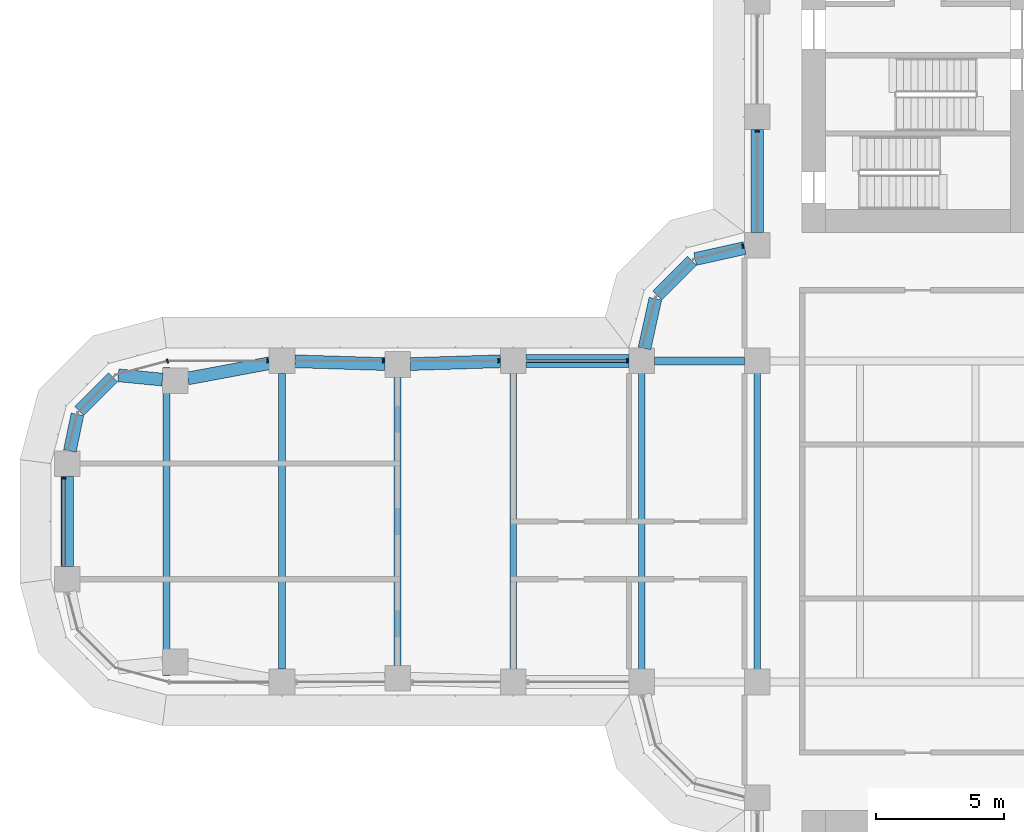
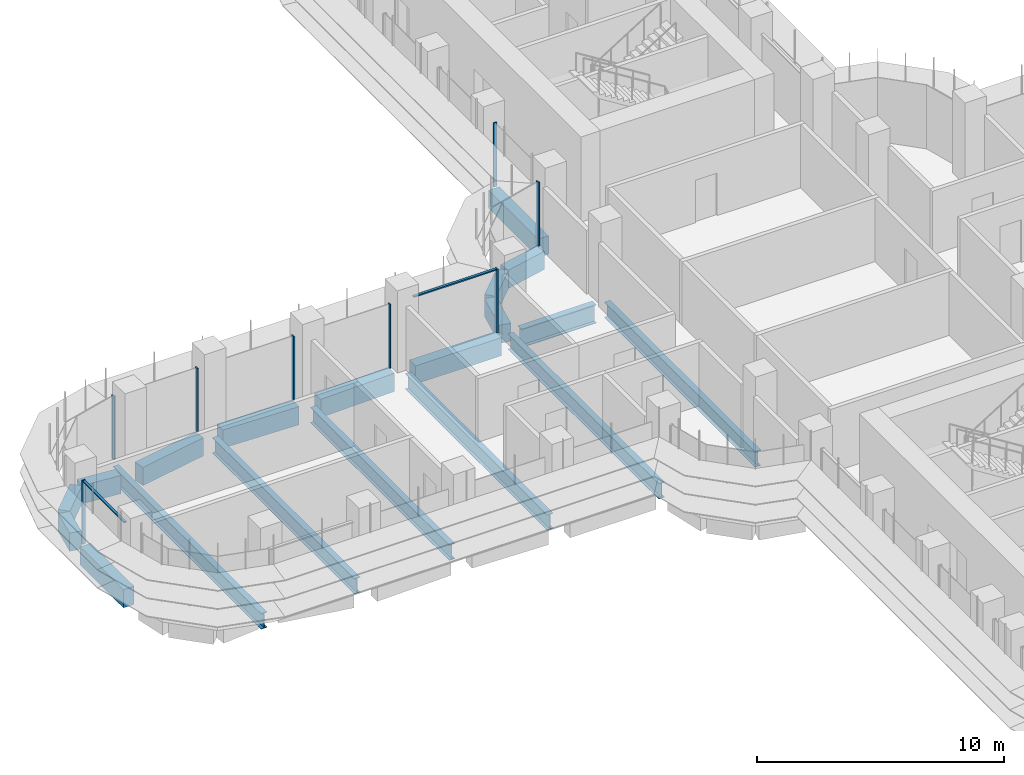
# One storey, part 6 of 23: 19 beams, 10 members, 5 elements without a shape of their own.
"""IFC4 building model written with IfcOpenShell, lengths in metres."""

from ifc_helpers import new_model, si_unit, direction, frame, origin, origin_2d, place, context, subcontext, project, spatial, polyline, rectangle, i_section, outline, extrude, source, transform, mapped, material, material_profile, profile_set, type_object, element, aggregate, save


model = new_model("IFC4")

# Units and contexts
model_context = context("Model", 3, precision=1e-05, world=origin(), true_north=direction((0.0, 1.0)))
body_context = subcontext(model_context, "Body", "Model", "MODEL_VIEW")
ifc_project = project(units=[si_unit("LENGTHUNIT", "METRE"), si_unit("AREAUNIT", "SQUARE_METRE"), si_unit("VOLUMEUNIT", "CUBIC_METRE"), si_unit("PLANEANGLEUNIT", "RADIAN"), si_unit("MASSUNIT", "GRAM", prefix="KILO")], contexts=[model_context])

# Site, building, storey
site_placement = place(None, origin())
site = spatial("IfcSite", under=ifc_project, at=site_placement, CompositionType="ELEMENT")
building_placement = place(site_placement, origin())
building = spatial("IfcBuilding", under=site, at=building_placement, Name="Zarbagh Exchange Tower", CompositionType="ELEMENT")
storey_placement = place(building_placement, frame((0.0, 0.0, 35.39990234375)))
storey = spatial("IfcBuildingStorey", under=building, at=storey_placement, Name="L07", CompositionType="ELEMENT", Elevation=35.39990234375)

# Beams
ifc_material_1 = material(Name="Steel ASTM A992 Gr 50", Category="steel")
ifc_material_profile_1 = material_profile(ifc_material_1, i_section(OverallWidth=0.2666015625, OverallDepth=0.76708984375, WebThickness=0.014892578125, FlangeThickness=0.023681640625, at=origin_2d()), Name="W30X124")
ifc_profile_set_1 = profile_set([ifc_material_profile_1], Name="Steel ASTM A992 Gr 50")
beam_type_1 = type_object("IfcBeamType", Name="Floor beam W30X124", PredefinedType="BEAM", material=ifc_profile_set_1)
for number, where, z_axis, x_axis, name in (
    (1, (-10.75, -6.09765625, -0.533447265625), (0.0, 1.0, 0.0), (-1.0, 0.0, 0.0), "Steel floor beam"),
    (2, (-6.25, -6.09765625, -0.533447265625), (0.0, 1.0, 0.0), (-1.0, 0.0, 0.0), "Steel floor beam"),
):
    element("IfcBeam", number, at=place(storey_placement, frame(where, z_axis=z_axis, x_axis=x_axis)), inside=storey, type_object=beam_type_1, Name=name, PredefinedType="BEAM", context=body_context, shape_type="SweptSolid", body=[
        extrude(i_section(OverallWidth=0.2666015625, OverallDepth=0.76708984375, WebThickness=0.014892578125, FlangeThickness=0.023681640625, at=origin_2d()), origin(), (0.0, 0.0, 1.0), 12.1953125),
    ])
beam_1_placement = place(storey_placement, frame((-15.75, -5.75, -0.533447265625), z_axis=(0.0, 1.0, 0.0), x_axis=(-1.0, 0.0, 0.0)))
element("IfcBeam", 3, at=beam_1_placement, inside=storey, type_object=beam_type_1, Name="Steel floor beam", PredefinedType="BEAM", context=body_context, shape_type="SweptSolid", body=[
    extrude(i_section(OverallWidth=0.2666015625, OverallDepth=0.76708984375, WebThickness=0.014892578125, FlangeThickness=0.023681640625, at=origin_2d()), origin(), (0.0, 0.0, 1.0), 11.5),
])
beam_2_placement = place(storey_placement, frame((-20.25, -5.610107421875, -0.533447265625), z_axis=(0.0, 1.0, 0.0), x_axis=(-1.0, 0.0, 0.0)))
element("IfcBeam", 4, at=beam_2_placement, inside=storey, type_object=beam_type_1, Name="Steel floor beam", PredefinedType="BEAM", context=body_context, shape_type="SweptSolid", body=[
    extrude(i_section(OverallWidth=0.2666015625, OverallDepth=0.76708984375, WebThickness=0.014892578125, FlangeThickness=0.023681640625, at=origin_2d()), origin(), (0.0, 0.0, 1.0), 11.22021484375),
])
beam_3_placement = place(storey_placement, frame((-24.75, -5.75, -0.533447265625), z_axis=(0.0, 1.0, 0.0), x_axis=(-1.0, 0.0, 0.0)))
element("IfcBeam", 5, at=beam_3_placement, inside=storey, type_object=beam_type_1, Name="Steel floor beam", PredefinedType="BEAM", context=body_context, shape_type="SweptSolid", body=[
    extrude(i_section(OverallWidth=0.2666015625, OverallDepth=0.76708984375, WebThickness=0.014892578125, FlangeThickness=0.023681640625, at=origin_2d()), origin(), (0.0, 0.0, 1.0), 11.5),
])
beam_4_placement = place(storey_placement, frame((-29.25, -6.0, -0.533447265625), z_axis=(0.0, 1.0, 0.0), x_axis=(-1.0, 0.0, 0.0)))
element("IfcBeam", 6, at=beam_4_placement, inside=storey, type_object=beam_type_1, Name="Steel floor beam", PredefinedType="BEAM", context=body_context, shape_type="SweptSolid", body=[
    extrude(i_section(OverallWidth=0.2666015625, OverallDepth=0.76708984375, WebThickness=0.014892578125, FlangeThickness=0.023681640625, at=origin_2d()), origin(), (0.0, 0.0, 1.0), 12.0),
])
ifc_material_profile_2 = material_profile(ifc_material_1, i_section(OverallWidth=0.3046875, OverallDepth=0.91943359375, WebThickness=0.017333984375, FlangeThickness=0.02783203125, at=origin_2d()), Name="W36X170")
ifc_profile_set_2 = profile_set([ifc_material_profile_2], Name="Steel ASTM A992 Gr 50")
beam_type_2 = type_object("IfcBeamType", Name="Floor girder W36X170", PredefinedType="BEAM", material=ifc_profile_set_2)
beam_5_placement = place(storey_placement, frame((-10.25, 6.25, -0.609619140625), z_axis=(1.0, 0.0, 0.0), x_axis=(0.0, 1.0, 0.0)))
element("IfcBeam", 7, at=beam_5_placement, inside=storey, type_object=beam_type_2, Name="Steel girder", PredefinedType="BEAM", context=body_context, shape_type="SweptSolid", body=[
    extrude(i_section(OverallWidth=0.3046875, OverallDepth=0.91943359375, WebThickness=0.017333984375, FlangeThickness=0.02783203125, at=origin_2d()), origin(), (0.0, 0.0, 1.0), 3.5),
])
ifc_material_2 = material(Name="Concrete C60/75", Category="concrete")
ifc_material_profile_3 = material_profile(ifc_material_2, rectangle(XDim=0.5, YDim=0.89990234375, at=origin_2d()), Name="RC spandrel beam 500 x 900 C60/75")
ifc_profile_set_3 = profile_set([ifc_material_profile_3], Name="Concrete C60/75")
beam_type_3 = type_object("IfcBeamType", Name="RC spandrel beam 500 x 900 C60/75", PredefinedType="SPANDREL", material=ifc_profile_set_3)
beam_6_placement = place(storey_placement, frame((-33.110107421875, -1.75, -0.599853515625), z_axis=(0.0, 1.0, 0.0), x_axis=(-1.0, 0.0, 0.0)))
element("IfcBeam", 8, at=beam_6_placement, inside=storey, type_object=beam_type_3, Name="RC spandrel beam", PredefinedType="SPANDREL", context=body_context, shape_type="SweptSolid", body=[
    extrude(rectangle(XDim=0.5, YDim=0.89990234375, at=origin_2d()), origin(), (0.0, 0.0, 1.0), 3.5),
])
beam_7_placement = place(storey_placement, frame((-33.0087890625, 2.73974609375, -0.599853515625), z_axis=(0.202068589164, 0.9793713725, 0.0), x_axis=(-0.9793713725, 0.202068589164, 0.0)))
element("IfcBeam", 9, at=beam_7_placement, inside=storey, type_object=beam_type_3, Name="RC spandrel beam", PredefinedType="SPANDREL", context=body_context, shape_type="SweptSolid", body=[
    extrude(rectangle(XDim=0.5, YDim=0.89990234375, at=origin_2d()), origin(), (0.0, 0.0, 1.0), 1.458251953125),
])
beam_8_placement = place(storey_placement, frame((-32.64599609375, 4.294189453125, -0.599853515625), z_axis=(0.707172099812, 0.707041456527, 0.0), x_axis=(-0.707041456527, 0.707172099812, 0.0)))
element("IfcBeam", 10, at=beam_8_placement, inside=storey, type_object=beam_type_3, Name="RC spandrel beam", PredefinedType="SPANDREL", context=body_context, shape_type="SweptSolid", body=[
    extrude(rectangle(XDim=0.5, YDim=0.89990234375, at=origin_2d()), origin(), (0.0, 0.0, 1.0), 1.86865234375),
])
beam_9_placement = place(storey_placement, frame((-31.123779296875, 5.6875, -0.599853515625), z_axis=(0.995431032456, -0.095483294999, 0.0), x_axis=(0.095483294999, 0.995431032456, 0.0)))
element("IfcBeam", 11, at=beam_9_placement, inside=storey, type_object=beam_type_3, Name="RC spandrel beam", PredefinedType="SPANDREL", context=body_context, shape_type="SweptSolid", body=[
    extrude(rectangle(XDim=0.5, YDim=0.89990234375, at=origin_2d()), origin(), (0.0, 0.0, 1.0), 1.725830078125),
])
beam_10_placement = place(storey_placement, frame((-28.41650390625, 5.566650390625, -0.599853515625), z_axis=(0.983069300761, 0.183234139565, 0.0), x_axis=(-0.183234139565, 0.983069300761, 0.0)))
element("IfcBeam", 12, at=beam_10_placement, inside=storey, type_object=beam_type_3, Name="RC spandrel beam", PredefinedType="SPANDREL", context=body_context, shape_type="SweptSolid", body=[
    extrude(rectangle(XDim=0.5, YDim=0.89990234375, at=origin_2d()), origin(), (0.0, 0.0, 1.0), 3.229736328125),
])
for number, where, z_axis, x_axis, name in (
    (13, (-24.250244140625, 6.234619140625, -0.599853515625), (0.999514385708, -0.031160756759, 0.0), (0.031160756759, 0.999514385708, 0.0), "RC spandrel beam"),
    (14, (-19.750244140625, 6.12548828125, -0.599853515625), (0.999514385708, 0.031160756759, 0.0), (-0.031160756759, 0.999514385708, 0.0), "RC spandrel beam"),
):
    element("IfcBeam", number, at=place(storey_placement, frame(where, z_axis=z_axis, x_axis=x_axis)), inside=storey, type_object=beam_type_3, Name=name, PredefinedType="SPANDREL", context=body_context, shape_type="SweptSolid", body=[
        extrude(rectangle(XDim=0.5, YDim=0.89990234375, at=origin_2d()), origin(), (0.0, 0.0, 1.0), 3.502197265625),
    ])
beam_11_placement = place(storey_placement, frame((-15.25, 6.25, -0.599853515625), z_axis=(1.0, 0.0, 0.0), x_axis=(0.0, 1.0, 0.0)))
element("IfcBeam", 15, at=beam_11_placement, inside=storey, type_object=beam_type_3, Name="RC spandrel beam", PredefinedType="SPANDREL", context=body_context, shape_type="SweptSolid", body=[
    extrude(rectangle(XDim=0.5, YDim=0.89990234375, at=origin_2d()), origin(), (0.0, 0.0, 1.0), 4.0),
])
beam_12_placement = place(storey_placement, frame((-10.64208984375, 6.73828125, -0.599853515625), z_axis=(0.216081063242, 0.976375426825, 0.0), x_axis=(-0.976375426825, 0.216081063242, 0.0)))
element("IfcBeam", 16, at=beam_12_placement, inside=storey, type_object=beam_type_3, Name="RC spandrel beam", PredefinedType="SPANDREL", context=body_context, shape_type="SweptSolid", body=[
    extrude(rectangle(XDim=0.5, YDim=0.89990234375, at=origin_2d()), origin(), (0.0, 0.0, 1.0), 1.978271484375),
])
beam_13_placement = place(storey_placement, frame((-10.147216796875, 8.792724609375, -0.599853515625), z_axis=(0.707106781187, 0.707106781187, 0.0), x_axis=(-0.707106781187, 0.707106781187, 0.0)))
element("IfcBeam", 17, at=beam_13_placement, inside=storey, type_object=beam_type_3, Name="RC spandrel beam", PredefinedType="SPANDREL", context=body_context, shape_type="SweptSolid", body=[
    extrude(rectangle(XDim=0.5, YDim=0.89990234375, at=origin_2d()), origin(), (0.0, 0.0, 1.0), 1.91552734375),
])
beam_14_placement = place(storey_placement, frame((-8.669921875, 10.214599609375, -0.599853515625), z_axis=(0.976375426825, 0.216081063242, 0.0), x_axis=(-0.216081063242, 0.976375426825, 0.0)))
element("IfcBeam", 18, at=beam_14_placement, inside=storey, type_object=beam_type_3, Name="RC spandrel beam", PredefinedType="SPANDREL", context=body_context, shape_type="SweptSolid", body=[
    extrude(rectangle(XDim=0.5, YDim=0.89990234375, at=origin_2d()), origin(), (0.0, 0.0, 1.0), 1.978271484375),
])
beam_15_placement = place(storey_placement, frame((-6.25, 11.25, -0.599853515625), z_axis=(0.0, 1.0, 0.0), x_axis=(-1.0, 0.0, 0.0)))
element("IfcBeam", 19, at=beam_15_placement, inside=storey, type_object=beam_type_3, Name="RC spandrel beam", PredefinedType="SPANDREL", context=body_context, shape_type="SweptSolid", body=[
    extrude(rectangle(XDim=0.5, YDim=0.89990234375, at=origin_2d()), origin(), (0.0, 0.0, 1.0), 4.0),
])

# Curtain wall, member
ifc_material_3 = material(Name="Anodised aluminium frame and glazing", Category="aluminium")
curtain_wall_type = type_object("IfcCurtainWallType", Name="CWA Ribbon glazing, lower zones", PredefinedType="NOTDEFINED", material=ifc_material_3)
curtain_wall_1_placement = place(storey_placement, origin())
curtain_wall_1 = element("IfcCurtainWall", 20, at=curtain_wall_1_placement, inside=storey, type_object=curtain_wall_type, Name="CWA28 curtain wall", PredefinedType="NOTDEFINED")
ifc_material_4 = material(Name="Anodised aluminium frame", Category="aluminium")
member_type_1 = type_object("IfcMemberType", Name="MUA Mullion, anodised aluminium frame", PredefinedType="MULLION", material=ifc_material_4)
shared_shape_1 = source(origin(), body_context, "Body", "SweptSolid", [
    extrude(outline(polyline([(0.0, -0.080078125), (0.06005859375, -0.080078125), (0.06005859375, 0.080078125), (0.0, 0.080078125), (0.0, -0.080078125)])), origin(), (0.0, 0.0, 1.0), 3.14990234375),
])
placement = place(storey_placement, origin())
member_1 = element("IfcMember", 21, at=placement, type_object=member_type_1, Name="CWA28 mullion 5.1", PredefinedType="MULLION", context=body_context, shape_type="MappedRepresentation", body=[
    mapped(shared_shape_1, transform((-6.25, 15.2099609375, 0.0), x_axis=(0.0, -1.0, 0.0), y_axis=(1.0, 0.0, 0.0), z_axis=(0.0, 0.0, 1.0))),
])
aggregate(curtain_wall_1, [member_1])

curtain_wall_2_placement = place(storey_placement, origin())
curtain_wall_2 = element("IfcCurtainWall", 22, at=curtain_wall_2_placement, inside=storey, type_object=curtain_wall_type, Name="CWA29 curtain wall", PredefinedType="NOTDEFINED")
member_2 = element("IfcMember", 23, at=placement, type_object=member_type_1, Name="CWA29 mullion 1.1", PredefinedType="MULLION", context=body_context, shape_type="MappedRepresentation", body=[
    mapped(shared_shape_1, transform((-6.7900390625, 10.7216796875, 0.0), x_axis=(-0.965924289636, -0.258824779902, 0.0), y_axis=(0.258824779902, -0.965924289636, 0.0), z_axis=(0.0, 0.0, 1.0))),
])
aggregate(curtain_wall_2, [member_2])

# Curtain wall, members
curtain_wall_3_placement = place(storey_placement, origin())
curtain_wall_3 = element("IfcCurtainWall", 24, at=curtain_wall_3_placement, inside=storey, type_object=curtain_wall_type, Name="CWA32 curtain wall", PredefinedType="NOTDEFINED")
member_3 = element("IfcMember", 25, at=placement, type_object=member_type_1, Name="CWA32 mullion 1.1", PredefinedType="MULLION", context=body_context, shape_type="MappedRepresentation", body=[
    mapped(shared_shape_1, transform((-11.2900390625, 6.25, 0.0), x_axis=(-1.0, 0.0, 0.0), y_axis=(0.0, -1.0, 0.0), z_axis=(0.0, 0.0, 1.0))),
])
member_4 = element("IfcMember", 26, at=placement, type_object=member_type_1, Name="CWA32 mullion 2.1", PredefinedType="MULLION", context=body_context, shape_type="MappedRepresentation", body=[
    mapped(shared_shape_1, transform((-16.2900390625, 6.25, 0.0), x_axis=(-1.0, 0.0, 0.0), y_axis=(0.0, -1.0, 0.0), z_axis=(0.0, 0.0, 1.0))),
])
member_5 = element("IfcMember", 27, at=placement, type_object=member_type_1, Name="CWA32 mullion 3.1", PredefinedType="MULLION", context=body_context, shape_type="MappedRepresentation", body=[
    mapped(shared_shape_1, transform((-20.7900390625, 6.25, 0.0), x_axis=(-1.0, 0.0, 0.0), y_axis=(0.0, -1.0, 0.0), z_axis=(0.0, 0.0, 1.0))),
])
member_6 = element("IfcMember", 28, at=placement, type_object=member_type_1, Name="CWA32 mullion 4.1", PredefinedType="MULLION", context=body_context, shape_type="MappedRepresentation", body=[
    mapped(shared_shape_1, transform((-25.2900390625, 6.25, 0.0), x_axis=(-1.0, 0.0, 0.0), y_axis=(0.0, -1.0, 0.0), z_axis=(0.0, 0.0, 1.0))),
])

# Curtain wall, member
curtain_wall_4_placement = place(storey_placement, origin())
curtain_wall_4 = element("IfcCurtainWall", 29, at=curtain_wall_4_placement, inside=storey, type_object=curtain_wall_type, Name="CWA33 curtain wall", PredefinedType="NOTDEFINED")
member_7 = element("IfcMember", 30, at=placement, type_object=member_type_1, Name="CWA33 mullion 1.1", PredefinedType="MULLION", context=body_context, shape_type="MappedRepresentation", body=[
    mapped(shared_shape_1, transform((-29.18408203125, 6.25, 0.0), x_axis=(-0.965924289636, -0.258824779902, 0.0), y_axis=(0.258824779902, -0.965924289636, 0.0), z_axis=(0.0, 0.0, 1.0))),
])
aggregate(curtain_wall_4, [member_7])

curtain_wall_5_placement = place(storey_placement, origin())
curtain_wall_5 = element("IfcCurtainWall", 31, at=curtain_wall_5_placement, inside=storey, type_object=curtain_wall_type, Name="CWA36 curtain wall", PredefinedType="NOTDEFINED")
member_8 = element("IfcMember", 32, at=placement, type_object=member_type_1, Name="CWA36 mullion 1.1", PredefinedType="MULLION", context=body_context, shape_type="MappedRepresentation", body=[
    mapped(shared_shape_1, transform((-33.25, 1.7099609375, 0.0), x_axis=(0.0, -1.0, 0.0), y_axis=(1.0, 0.0, 0.0), z_axis=(0.0, 0.0, 1.0))),
])

# Member
member_type_2 = type_object("IfcMemberType", Name="TRA Transom, anodised aluminium frame", PredefinedType="USERDEFINED", material=ifc_material_4)
shared_shape_2 = source(origin(), body_context, "Body", "SweptSolid", [
    extrude(outline(polyline([(-0.06005859375, -0.06005859375), (0.0, -0.06005859375), (0.0, 0.06005859375), (-0.06005859375, 0.06005859375), (-0.06005859375, -0.06005859375)])), origin(), (0.0, 0.0, 1.0), 3.860107421875),
])
member_9 = element("IfcMember", 33, at=placement, type_object=member_type_2, Name="CWA32 transom 1.1", ObjectType="TRANSOM", PredefinedType="USERDEFINED", context=body_context, shape_type="MappedRepresentation", body=[
    mapped(shared_shape_2, transform((-11.35009765625, 6.25, 3.150146484375), x_axis=(0.0, 0.0, 1.0), y_axis=(0.0, 1.0, 0.0), z_axis=(-1.0, 0.0, 0.0))),
])

aggregate(curtain_wall_3, [member_3, member_9, member_4, member_5, member_6])

shared_shape_3 = source(origin(), body_context, "Body", "SweptSolid", [
    extrude(outline(polyline([(-0.06005859375, -0.06005859375), (0.0, -0.06005859375), (0.0, 0.06005859375), (-0.06005859375, 0.06005859375), (-0.06005859375, -0.06005859375)])), origin(), (0.0, 0.0, 1.0), 3.360107421875),
])
member_10 = element("IfcMember", 34, at=placement, type_object=member_type_2, Name="CWA36 transom 1.1", ObjectType="TRANSOM", PredefinedType="USERDEFINED", context=body_context, shape_type="MappedRepresentation", body=[
    mapped(shared_shape_3, transform((-33.25, 1.64990234375, 3.150146484375), x_axis=(0.0, 0.0, 1.0), y_axis=(-1.0, 0.0, 0.0), z_axis=(0.0, -1.0, 0.0))),
])

aggregate(curtain_wall_5, [member_8, member_10])

save(model, "model.ifc")
